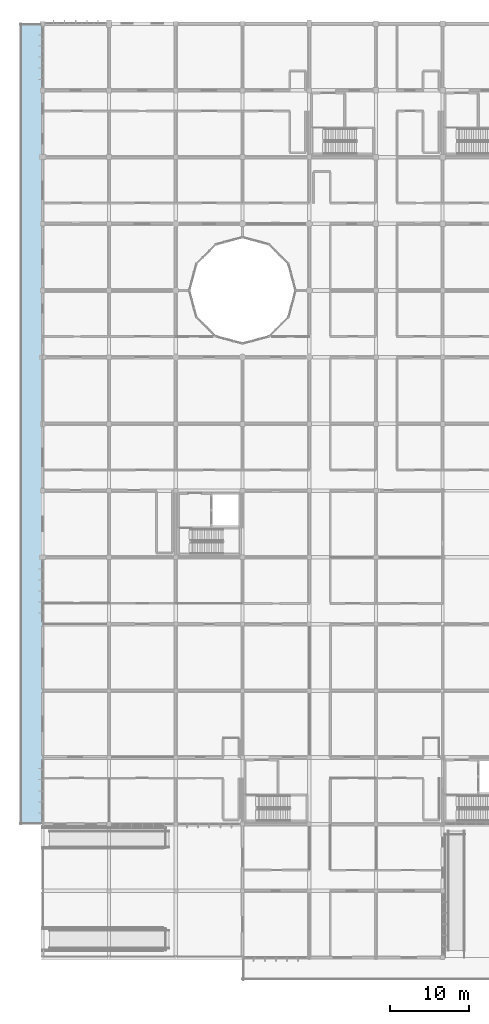
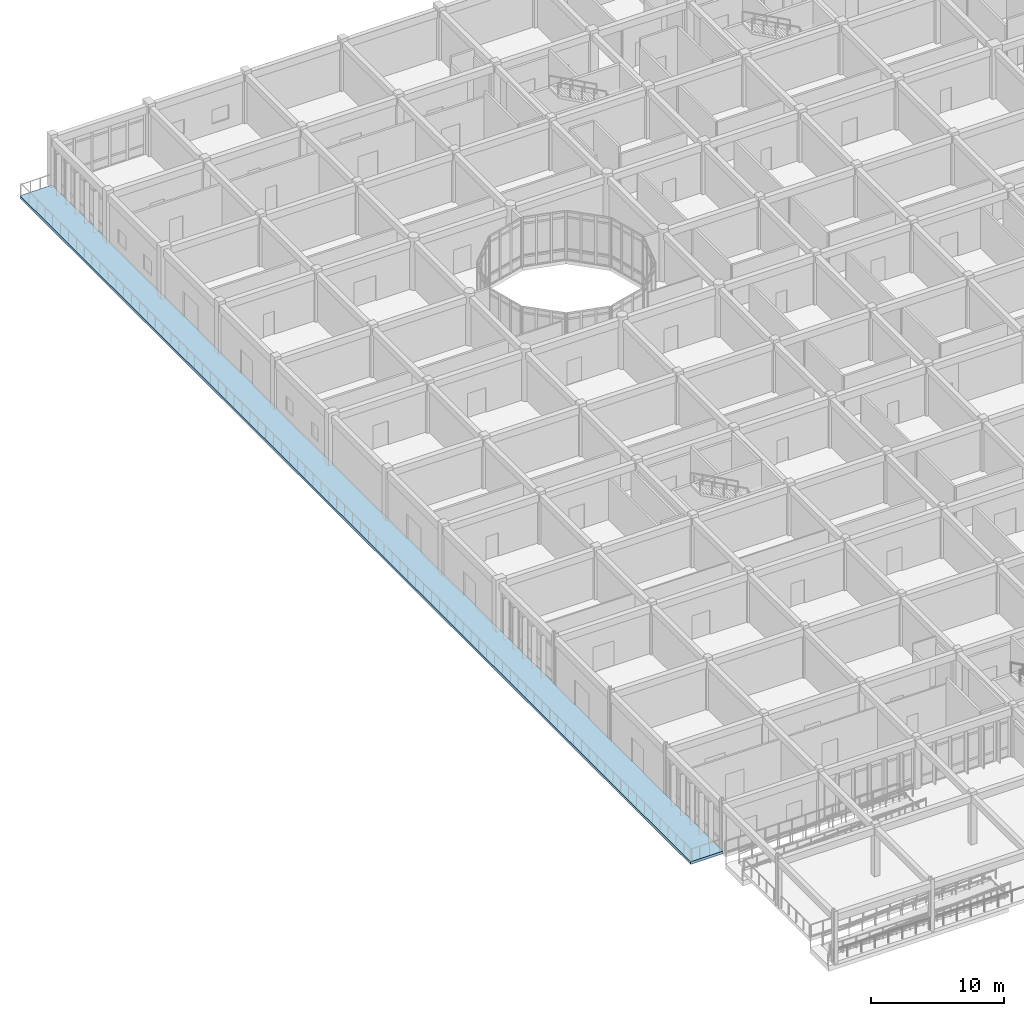
# One storey, part 69 of 138: 1 slab.
"""IFC4 building model written with IfcOpenShell, lengths in metres."""

from ifc_helpers import new_model, si_unit, direction, frame, origin, place, context, subcontext, project, spatial, polyline, outline, extrude, material, layer, layer_set, type_object, element, save


model = new_model("IFC4")

# Units and contexts
model_context = context("Model", 3, precision=1e-05, world=origin(), true_north=direction((0.0, 1.0)))
body_context = subcontext(model_context, "Body", "Model", "MODEL_VIEW")
ifc_project = project(units=[si_unit("LENGTHUNIT", "METRE"), si_unit("AREAUNIT", "SQUARE_METRE"), si_unit("VOLUMEUNIT", "CUBIC_METRE"), si_unit("PLANEANGLEUNIT", "RADIAN"), si_unit("MASSUNIT", "GRAM", prefix="KILO")], contexts=[model_context])

# Site, building, storey
site_placement = place(None, origin())
site = spatial("IfcSite", under=ifc_project, at=site_placement, CompositionType="ELEMENT")
building_placement = place(site_placement, origin())
building = spatial("IfcBuilding", under=site, at=building_placement, Name="Bramfleet General Hospital", CompositionType="ELEMENT")
storey_placement = place(building_placement, origin())
storey = spatial("IfcBuildingStorey", under=building, at=storey_placement, Name="L00", CompositionType="ELEMENT", Elevation=0.0)

# Slab
ifc_material = material(Name="Concrete C35/45", Category="concrete")
ifc_layer = layer(ifc_material, 0.25, Name="SL-TER-250")
ifc_layer_set = layer_set([ifc_layer], Name="Concrete C35/45")
slab_type = type_object("IfcSlabType", Name="SL-TER-250", PredefinedType="FLOOR", material=ifc_layer_set)
slab_placement = place(storey_placement, frame((0.0, 0.0, -0.25)))
element("IfcSlab", 1, at=slab_placement, inside=storey, type_object=slab_type, Name="L00 West Grounded Escape Plinth Walkway", PredefinedType="FLOOR", context=body_context, shape_type="SweptSolid", body=[
    extrude(outline(polyline([(-2.800048828125, 16.800048828125), (0.0, 16.800048828125), (0.0, 117.60009765625), (-2.800048828125, 117.60009765625), (-2.800048828125, 16.800048828125)])), origin(), (0.0, 0.0, 1.0), 0.25),
])

save(model, "model.ifc")
